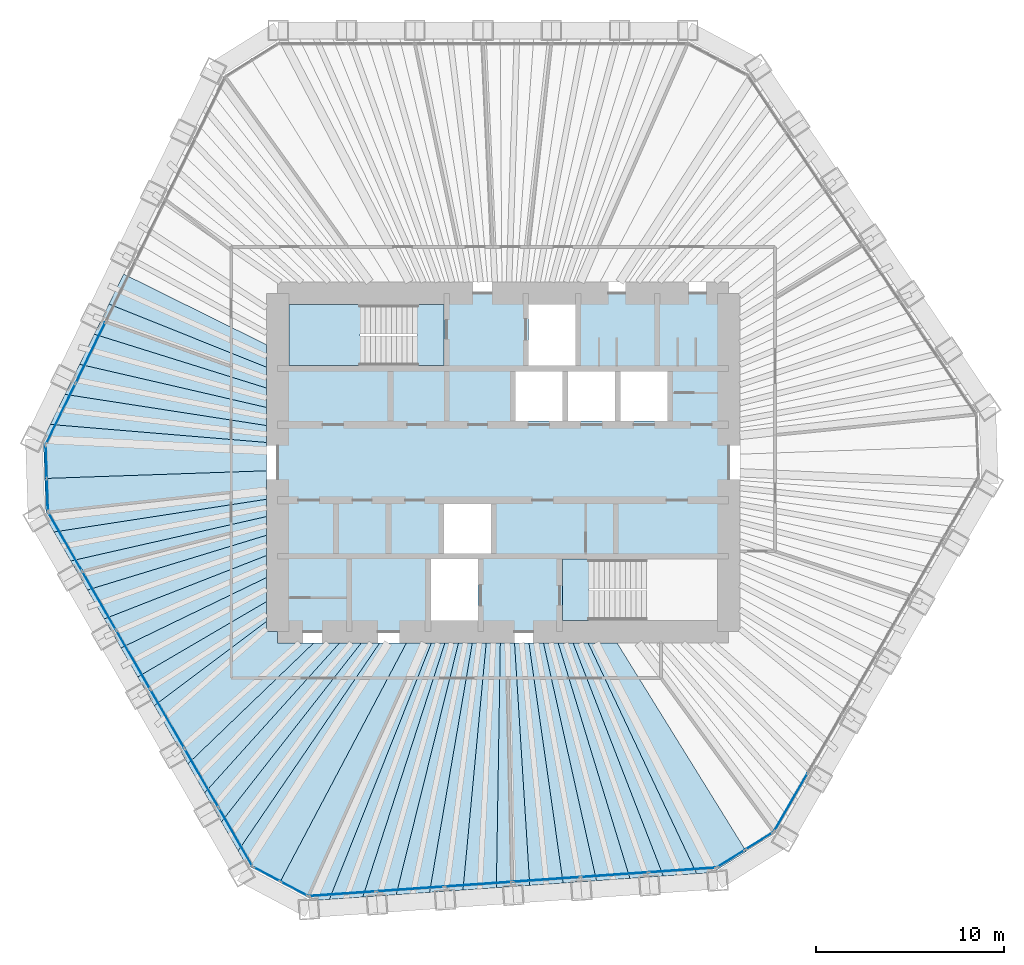
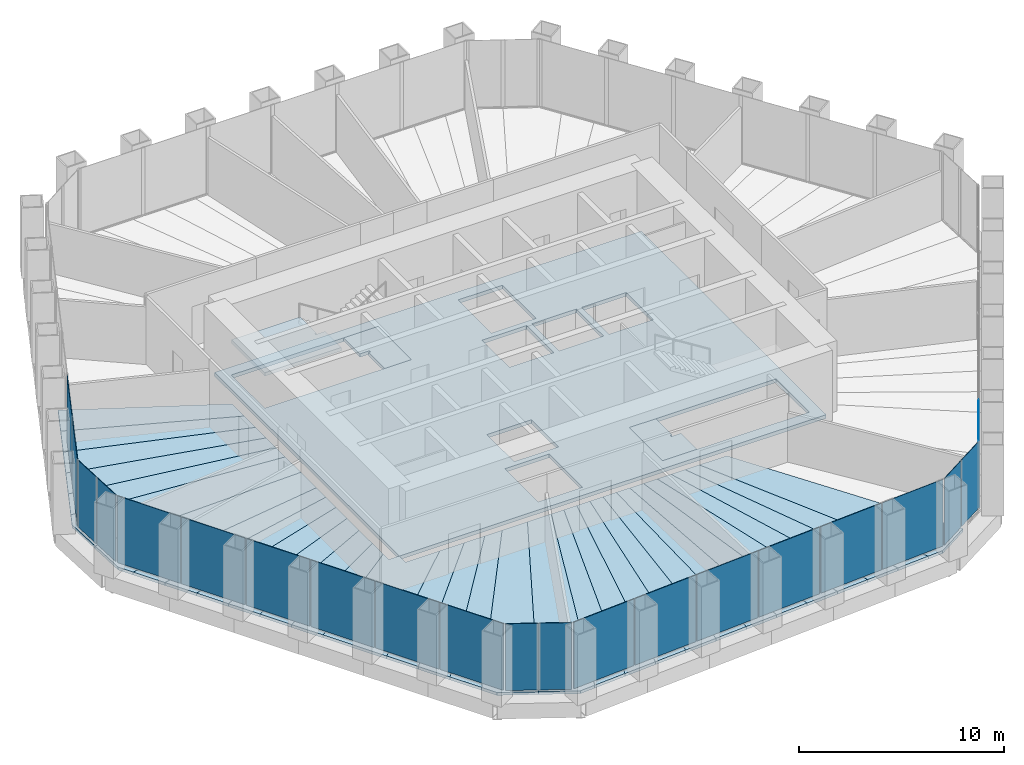
# One storey, part 8 of 14: 35 slabs, 21 plates, 9 elements without a shape of their own.
"""IFC4 building model written with IfcOpenShell, lengths in metres."""

from ifc_helpers import new_model, si_unit, direction, frame, origin, origin_2d, place, context, subcontext, project, spatial, polyline, rectangle, outline, extrude, material, layer, layer_set, type_object, element, aggregate, save


model = new_model("IFC4")

# Units and contexts
model_context = context("Model", 3, precision=1e-05, world=origin(), true_north=direction((0.0, 1.0)))
body_context = subcontext(model_context, "Body", "Model", "MODEL_VIEW")
ifc_project = project(units=[si_unit("LENGTHUNIT", "METRE"), si_unit("AREAUNIT", "SQUARE_METRE"), si_unit("VOLUMEUNIT", "CUBIC_METRE"), si_unit("PLANEANGLEUNIT", "RADIAN"), si_unit("MASSUNIT", "GRAM", prefix="KILO")], contexts=[model_context])

# Site, building, storey
site_placement = place(None, origin())
site = spatial("IfcSite", under=ifc_project, at=site_placement, CompositionType="ELEMENT")
building_placement = place(site_placement, origin())
building = spatial("IfcBuilding", under=site, at=building_placement, Name="Qingtian Harvest Tower", CompositionType="ELEMENT")
storey_placement = place(building_placement, frame((0.0, 0.0, 197.199951171875)))
storey = spatial("IfcBuildingStorey", under=building, at=storey_placement, Name="L42", CompositionType="ELEMENT", Elevation=197.199951171875)

# Slabs
ifc_material_1 = material(Name="Concrete fc' 35 MPa", Category="concrete")
ifc_layer_1 = layer(ifc_material_1, 0.169921875)
ifc_layer_set_1 = layer_set([ifc_layer_1], Name="Composite floor slab FS17 170")
slab_type_1 = type_object("IfcSlabType", Name="Composite floor slab FS17 170", PredefinedType="FLOOR", material=ifc_layer_set_1)
slab_1_placement = place(storey_placement, frame((0.0, 0.0, -0.169921875)))
element("IfcSlab", 1, at=slab_1_placement, inside=storey, type_object=slab_type_1, Name="Floor slab L42 panel D01", PredefinedType="FLOOR", context=body_context, shape_type="SweptSolid", body=[
    extrude(outline(polyline([(-24.403564453125, -0.852294921875), (-12.60009765625, -0.443115234375), (-12.60009765625, -1.958984375), (-23.9072265625, -3.701416015625), (-24.32958984375, -2.969970703125), (-24.403564453125, -0.852294921875)])), origin(), (0.0, 0.0, 1.0), 0.169921875),
])
slab_2_placement = place(storey_placement, frame((0.0, 0.0, -0.169921875)))
element("IfcSlab", 2, at=slab_2_placement, inside=storey, type_object=slab_type_1, Name="Floor slab L42 panel D02", PredefinedType="FLOOR", context=body_context, shape_type="SweptSolid", body=[
    extrude(outline(polyline([(-12.60009765625, -2.880126953125), (-23.016357421875, -5.244384765625), (-23.9072265625, -3.701416015625), (-12.60009765625, -1.958984375), (-12.60009765625, -2.880126953125)])), origin(), (0.0, 0.0, 1.0), 0.169921875),
])
slab_3_placement = place(storey_placement, frame((0.0, 0.0, -0.169921875)))
element("IfcSlab", 3, at=slab_3_placement, inside=storey, type_object=slab_type_1, Name="Floor slab L42 panel D03", PredefinedType="FLOOR", context=body_context, shape_type="SweptSolid", body=[
    extrude(outline(polyline([(-12.60009765625, -3.87548828125), (-22.12548828125, -6.78759765625), (-23.016357421875, -5.244384765625), (-12.60009765625, -2.880126953125), (-12.60009765625, -3.87548828125)])), origin(), (0.0, 0.0, 1.0), 0.169921875),
])
slab_4_placement = place(storey_placement, frame((0.0, 0.0, -0.169921875)))
element("IfcSlab", 4, at=slab_4_placement, inside=storey, type_object=slab_type_1, Name="Floor slab L42 panel D04", PredefinedType="FLOOR", context=body_context, shape_type="SweptSolid", body=[
    extrude(outline(polyline([(-12.60009765625, -4.95458984375), (-21.234619140625, -8.33056640625), (-22.12548828125, -6.78759765625), (-12.60009765625, -3.87548828125), (-12.60009765625, -4.95458984375)])), origin(), (0.0, 0.0, 1.0), 0.169921875),
])
slab_5_placement = place(storey_placement, frame((0.0, 0.0, -0.169921875)))
element("IfcSlab", 5, at=slab_5_placement, inside=storey, type_object=slab_type_1, Name="Floor slab L42 panel D05", PredefinedType="FLOOR", context=body_context, shape_type="SweptSolid", body=[
    extrude(outline(polyline([(-12.60009765625, -6.128173828125), (-20.34375, -9.87353515625), (-21.234619140625, -8.33056640625), (-12.60009765625, -4.95458984375), (-12.60009765625, -6.128173828125)])), origin(), (0.0, 0.0, 1.0), 0.169921875),
])
slab_6_placement = place(storey_placement, frame((0.0, 0.0, -0.169921875)))
element("IfcSlab", 6, at=slab_6_placement, inside=storey, type_object=slab_type_1, Name="Floor slab L42 panel D06", PredefinedType="FLOOR", context=body_context, shape_type="SweptSolid", body=[
    extrude(outline(polyline([(-12.60009765625, -7.409423828125), (-19.452880859375, -11.41650390625), (-20.34375, -9.87353515625), (-12.60009765625, -6.128173828125), (-12.60009765625, -7.409423828125)])), origin(), (0.0, 0.0, 1.0), 0.169921875),
])
slab_7_placement = place(storey_placement, frame((0.0, 0.0, -0.169921875)))
element("IfcSlab", 7, at=slab_7_placement, inside=storey, type_object=slab_type_1, Name="Floor slab L42 panel D07", PredefinedType="FLOOR", context=body_context, shape_type="SweptSolid", body=[
    extrude(outline(polyline([(-12.60009765625, -8.46435546875), (-18.5703125, -12.9453125), (-19.452880859375, -11.41650390625), (-12.60009765625, -7.409423828125), (-12.60009765625, -8.46435546875)])), origin(), (0.0, 0.0, 1.0), 0.169921875),
])
slab_8_placement = place(storey_placement, frame((0.0, 0.0, -0.169921875)))
element("IfcSlab", 8, at=slab_8_placement, inside=storey, type_object=slab_type_1, Name="Floor slab L42 panel D09", PredefinedType="FLOOR", context=body_context, shape_type="SweptSolid", body=[
    extrude(outline(polyline([(-16.781494140625, -16.043701171875), (-18.5703125, -12.9453125), (-12.60009765625, -8.46435546875), (-12.60009765625, -9.0), (-12.0, -9.0), (-12.0, -9.60009765625), (-10.07666015625, -9.60009765625), (-16.781494140625, -16.043701171875)])), origin(), (0.0, 0.0, 1.0), 0.169921875),
])
slab_9_placement = place(storey_placement, frame((0.0, 0.0, -0.169921875)))
element("IfcSlab", 9, at=slab_9_placement, inside=storey, type_object=slab_type_1, Name="Floor slab L42 panel D10", PredefinedType="FLOOR", context=body_context, shape_type="SweptSolid", body=[
    extrude(outline(polyline([(-8.700927734375, -9.60009765625), (-15.890380859375, -17.5869140625), (-16.781494140625, -16.043701171875), (-10.07666015625, -9.60009765625), (-8.700927734375, -9.60009765625)])), origin(), (0.0, 0.0, 1.0), 0.169921875),
])
slab_10_placement = place(storey_placement, frame((0.0, 0.0, -0.169921875)))
element("IfcSlab", 10, at=slab_10_placement, inside=storey, type_object=slab_type_1, Name="Floor slab L42 panel D11", PredefinedType="FLOOR", context=body_context, shape_type="SweptSolid", body=[
    extrude(outline(polyline([(-7.548095703125, -9.60009765625), (-14.99951171875, -19.1298828125), (-15.890380859375, -17.5869140625), (-8.700927734375, -9.60009765625), (-7.548095703125, -9.60009765625)])), origin(), (0.0, 0.0, 1.0), 0.169921875),
])
slab_11_placement = place(storey_placement, frame((0.0, 0.0, -0.169921875)))
element("IfcSlab", 11, at=slab_11_placement, inside=storey, type_object=slab_type_1, Name="Floor slab L42 panel D12", PredefinedType="FLOOR", context=body_context, shape_type="SweptSolid", body=[
    extrude(outline(polyline([(-6.568359375, -9.60009765625), (-14.108642578125, -20.673095703125), (-14.99951171875, -19.1298828125), (-7.548095703125, -9.60009765625), (-6.568359375, -9.60009765625)])), origin(), (0.0, 0.0, 1.0), 0.169921875),
])
slab_12_placement = place(storey_placement, frame((0.0, 0.0, -0.169921875)))
element("IfcSlab", 12, at=slab_12_placement, inside=storey, type_object=slab_type_1, Name="Floor slab L42 panel D13", PredefinedType="FLOOR", context=body_context, shape_type="SweptSolid", body=[
    extrude(outline(polyline([(-6.568359375, -9.60009765625), (-5.14501953125, -9.60009765625), (-11.890380859375, -22.359619140625), (-13.686279296875, -21.40478515625), (-14.108642578125, -20.673095703125), (-6.568359375, -9.60009765625)])), origin(), (0.0, 0.0, 1.0), 0.169921875),
])
slab_13_placement = place(storey_placement, frame((0.0, 0.0, -0.169921875)))
element("IfcSlab", 13, at=slab_13_placement, inside=storey, type_object=slab_type_1, Name="Floor slab L42 panel D14", PredefinedType="FLOOR", context=body_context, shape_type="SweptSolid", body=[
    extrude(outline(polyline([(-5.14501953125, -9.60009765625), (-3.817138671875, -9.60009765625), (-9.249755859375, -23.2568359375), (-10.092041015625, -23.315673828125), (-11.890380859375, -22.359619140625), (-5.14501953125, -9.60009765625)])), origin(), (0.0, 0.0, 1.0), 0.169921875),
])
slab_14_placement = place(storey_placement, frame((0.0, 0.0, -0.169921875)))
element("IfcSlab", 14, at=slab_14_placement, inside=storey, type_object=slab_type_1, Name="Floor slab L42 panel D15", PredefinedType="FLOOR", context=body_context, shape_type="SweptSolid", body=[
    extrude(outline(polyline([(-3.10009765625, -9.60009765625), (-7.472412109375, -23.132568359375), (-9.249755859375, -23.2568359375), (-3.817138671875, -9.60009765625), (-3.10009765625, -9.60009765625)])), origin(), (0.0, 0.0, 1.0), 0.169921875),
])
slab_15_placement = place(storey_placement, frame((0.0, 0.0, -0.169921875)))
element("IfcSlab", 15, at=slab_15_placement, inside=storey, type_object=slab_type_1, Name="Floor slab L42 panel D16", PredefinedType="FLOOR", context=body_context, shape_type="SweptSolid", body=[
    extrude(outline(polyline([(-2.375244140625, -9.60009765625), (-5.695068359375, -23.00830078125), (-7.472412109375, -23.132568359375), (-3.10009765625, -9.60009765625), (-2.375244140625, -9.60009765625)])), origin(), (0.0, 0.0, 1.0), 0.169921875),
])
slab_16_placement = place(storey_placement, frame((0.0, 0.0, -0.169921875)))
element("IfcSlab", 16, at=slab_16_placement, inside=storey, type_object=slab_type_1, Name="Floor slab L42 panel D17", PredefinedType="FLOOR", context=body_context, shape_type="SweptSolid", body=[
    extrude(outline(polyline([(-1.642578125, -9.60009765625), (-3.91796875, -22.884033203125), (-5.695068359375, -23.00830078125), (-2.375244140625, -9.60009765625), (-1.642578125, -9.60009765625)])), origin(), (0.0, 0.0, 1.0), 0.169921875),
])
slab_17_placement = place(storey_placement, frame((0.0, 0.0, -0.169921875)))
element("IfcSlab", 17, at=slab_17_placement, inside=storey, type_object=slab_type_1, Name="Floor slab L42 panel D18", PredefinedType="FLOOR", context=body_context, shape_type="SweptSolid", body=[
    extrude(outline(polyline([(-0.90185546875, -9.60009765625), (-2.140625, -22.759765625), (-3.91796875, -22.884033203125), (-1.642578125, -9.60009765625), (-0.90185546875, -9.60009765625)])), origin(), (0.0, 0.0, 1.0), 0.169921875),
])
slab_18_placement = place(storey_placement, frame((0.0, 0.0, -0.169921875)))
element("IfcSlab", 18, at=slab_18_placement, inside=storey, type_object=slab_type_1, Name="Floor slab L42 panel D19", PredefinedType="FLOOR", context=body_context, shape_type="SweptSolid", body=[
    extrude(outline(polyline([(-0.153076171875, -9.60009765625), (-0.36328125, -22.635498046875), (-2.140625, -22.759765625), (-0.90185546875, -9.60009765625), (-0.153076171875, -9.60009765625)])), origin(), (0.0, 0.0, 1.0), 0.169921875),
])
slab_19_placement = place(storey_placement, frame((0.0, 0.0, -0.169921875)))
element("IfcSlab", 19, at=slab_19_placement, inside=storey, type_object=slab_type_1, Name="Floor slab L42 panel D20", PredefinedType="FLOOR", context=body_context, shape_type="SweptSolid", body=[
    extrude(outline(polyline([(0.60400390625, -9.60009765625), (1.4140625, -22.51123046875), (-0.36328125, -22.635498046875), (-0.153076171875, -9.60009765625), (0.60400390625, -9.60009765625)])), origin(), (0.0, 0.0, 1.0), 0.169921875),
])
slab_20_placement = place(storey_placement, frame((0.0, 0.0, -0.169921875)))
element("IfcSlab", 20, at=slab_20_placement, inside=storey, type_object=slab_type_1, Name="Floor slab L42 panel D21", PredefinedType="FLOOR", context=body_context, shape_type="SweptSolid", body=[
    extrude(outline(polyline([(1.36962890625, -9.60009765625), (3.191162109375, -22.386962890625), (1.4140625, -22.51123046875), (0.60400390625, -9.60009765625), (1.36962890625, -9.60009765625)])), origin(), (0.0, 0.0, 1.0), 0.169921875),
])
slab_21_placement = place(storey_placement, frame((0.0, 0.0, -0.169921875)))
element("IfcSlab", 21, at=slab_21_placement, inside=storey, type_object=slab_type_1, Name="Floor slab L42 panel D22", PredefinedType="FLOOR", context=body_context, shape_type="SweptSolid", body=[
    extrude(outline(polyline([(2.1435546875, -9.60009765625), (4.968505859375, -22.2626953125), (3.191162109375, -22.386962890625), (1.36962890625, -9.60009765625), (2.1435546875, -9.60009765625)])), origin(), (0.0, 0.0, 1.0), 0.169921875),
])
slab_22_placement = place(storey_placement, frame((0.0, 0.0, -0.169921875)))
element("IfcSlab", 22, at=slab_22_placement, inside=storey, type_object=slab_type_1, Name="Floor slab L42 panel D23", PredefinedType="FLOOR", context=body_context, shape_type="SweptSolid", body=[
    extrude(outline(polyline([(2.92626953125, -9.60009765625), (6.745849609375, -22.138427734375), (4.968505859375, -22.2626953125), (2.1435546875, -9.60009765625), (2.92626953125, -9.60009765625)])), origin(), (0.0, 0.0, 1.0), 0.169921875),
])
slab_23_placement = place(storey_placement, frame((0.0, 0.0, -0.169921875)))
element("IfcSlab", 23, at=slab_23_placement, inside=storey, type_object=slab_type_1, Name="Floor slab L42 panel D24", PredefinedType="FLOOR", context=body_context, shape_type="SweptSolid", body=[
    extrude(outline(polyline([(3.718017578125, -9.60009765625), (8.523193359375, -22.01416015625), (6.745849609375, -22.138427734375), (2.92626953125, -9.60009765625), (3.718017578125, -9.60009765625)])), origin(), (0.0, 0.0, 1.0), 0.169921875),
])
slab_24_placement = place(storey_placement, frame((0.0, 0.0, -0.169921875)))
element("IfcSlab", 24, at=slab_24_placement, inside=storey, type_object=slab_type_1, Name="Floor slab L42 panel D25", PredefinedType="FLOOR", context=body_context, shape_type="SweptSolid", body=[
    extrude(outline(polyline([(4.5185546875, -9.60009765625), (10.30029296875, -21.889892578125), (8.523193359375, -22.01416015625), (3.718017578125, -9.60009765625), (4.5185546875, -9.60009765625)])), origin(), (0.0, 0.0, 1.0), 0.169921875),
])
slab_25_placement = place(storey_placement, frame((0.0, 0.0, -0.169921875)))
element("IfcSlab", 25, at=slab_25_placement, inside=storey, type_object=slab_type_1, Name="Floor slab L42 panel D26", PredefinedType="FLOOR", context=body_context, shape_type="SweptSolid", body=[
    extrude(outline(polyline([(4.5185546875, -9.60009765625), (6.059326171875, -9.60009765625), (12.94140625, -20.70703125), (11.142578125, -21.830810546875), (10.30029296875, -21.889892578125), (4.5185546875, -9.60009765625)])), origin(), (0.0, 0.0, 1.0), 0.169921875),
])
slab_26_placement = place(storey_placement, frame((0.0, 0.0, -0.169921875)))
element("IfcSlab", 26, at=slab_26_placement, inside=storey, type_object=slab_type_1, Name="Floor slab L42 panel D73", PredefinedType="FLOOR", context=body_context, shape_type="SweptSolid", body=[
    extrude(outline(polyline([(-12.60009765625, 5.072509765625), (-20.983154296875, 8.43017578125), (-20.201904296875, 10.031494140625), (-12.60009765625, 6.268310546875), (-12.60009765625, 5.072509765625)])), origin(), (0.0, 0.0, 1.0), 0.169921875),
])
slab_27_placement = place(storey_placement, frame((0.0, 0.0, -0.169921875)))
element("IfcSlab", 27, at=slab_27_placement, inside=storey, type_object=slab_type_1, Name="Floor slab L42 panel D74", PredefinedType="FLOOR", context=body_context, shape_type="SweptSolid", body=[
    extrude(outline(polyline([(-12.60009765625, 3.962890625), (-21.76416015625, 6.828857421875), (-20.983154296875, 8.43017578125), (-12.60009765625, 5.072509765625), (-12.60009765625, 3.962890625)])), origin(), (0.0, 0.0, 1.0), 0.169921875),
])
slab_28_placement = place(storey_placement, frame((0.0, 0.0, -0.169921875)))
element("IfcSlab", 28, at=slab_28_placement, inside=storey, type_object=slab_type_1, Name="Floor slab L42 panel D75", PredefinedType="FLOOR", context=body_context, shape_type="SweptSolid", body=[
    extrude(outline(polyline([(-12.60009765625, 2.929931640625), (-22.545166015625, 5.2275390625), (-21.76416015625, 6.828857421875), (-12.60009765625, 3.962890625), (-12.60009765625, 2.929931640625)])), origin(), (0.0, 0.0, 1.0), 0.169921875),
])
slab_29_placement = place(storey_placement, frame((0.0, 0.0, -0.169921875)))
element("IfcSlab", 29, at=slab_29_placement, inside=storey, type_object=slab_type_1, Name="Floor slab L42 panel D76", PredefinedType="FLOOR", context=body_context, shape_type="SweptSolid", body=[
    extrude(outline(polyline([(-12.60009765625, 1.96630859375), (-23.326171875, 3.626220703125), (-22.545166015625, 5.2275390625), (-12.60009765625, 2.929931640625), (-12.60009765625, 1.96630859375)])), origin(), (0.0, 0.0, 1.0), 0.169921875),
])
slab_30_placement = place(storey_placement, frame((0.0, 0.0, -0.169921875)))
element("IfcSlab", 30, at=slab_30_placement, inside=storey, type_object=slab_type_1, Name="Floor slab L42 panel D77", PredefinedType="FLOOR", context=body_context, shape_type="SweptSolid", body=[
    extrude(outline(polyline([(-12.60009765625, 1.065185546875), (-24.107177734375, 2.02490234375), (-23.326171875, 3.626220703125), (-12.60009765625, 1.96630859375), (-12.60009765625, 1.065185546875)])), origin(), (0.0, 0.0, 1.0), 0.169921875),
])
slab_31_placement = place(storey_placement, frame((0.0, 0.0, -0.169921875)))
element("IfcSlab", 31, at=slab_31_placement, inside=storey, type_object=slab_type_1, Name="Floor slab L42 panel D78", PredefinedType="FLOOR", context=body_context, shape_type="SweptSolid", body=[
    extrude(outline(polyline([(-12.60009765625, 1.065185546875), (-12.60009765625, -0.443115234375), (-24.403564453125, -0.852294921875), (-24.4775390625, 1.265625), (-24.107177734375, 2.02490234375), (-12.60009765625, 1.065185546875)])), origin(), (0.0, 0.0, 1.0), 0.169921875),
])
ifc_material_2 = material(Name="Concrete fc' 35 MPa", Category="concrete")
ifc_layer_2 = layer(ifc_material_2, 0.219970703125)
ifc_layer_set_2 = layer_set([ifc_layer_2], Name="Core floor slab CS22 220")
slab_type_2 = type_object("IfcSlabType", Name="Core floor slab CS22 220", PredefinedType="FLOOR", material=ifc_layer_set_2)
slab_32_placement = place(storey_placement, frame((0.0, 0.0, -0.219970703125)))
element("IfcSlab", 32, at=slab_32_placement, inside=storey, type_object=slab_type_2, Name="Core floor slab L42", PredefinedType="FLOOR", context=body_context, shape_type="SweptSolid", body=[
    extrude(outline(polyline([(-12.0, -9.0), (12.0, -9.0), (12.0, 9.0), (-12.0, 9.0), (-12.0, -9.0)]), holes=[polyline([(-11.39990234375, 5.14990234375), (-3.14990234375, 5.14990234375), (-3.14990234375, 8.39990234375), (-11.39990234375, 8.39990234375), (-11.39990234375, 5.14990234375)]), polyline([(3.14990234375, -8.39990234375), (11.39990234375, -8.39990234375), (11.39990234375, -5.14990234375), (3.14990234375, -5.14990234375), (3.14990234375, -8.39990234375)]), polyline([(1.35009765625, 5.14990234375), (3.85009765625, 5.14990234375), (3.85009765625, 8.39990234375), (1.35009765625, 8.39990234375), (1.35009765625, 5.14990234375)]), polyline([(-3.85009765625, -8.39990234375), (-1.35009765625, -8.39990234375), (-1.35009765625, -5.14990234375), (-3.85009765625, -5.14990234375), (-3.85009765625, -8.39990234375)]), polyline([(0.64990234375, 2.199951171875), (3.14990234375, 2.199951171875), (3.14990234375, 4.85009765625), (0.64990234375, 4.85009765625), (0.64990234375, 2.199951171875)]), polyline([(3.449951171875, 2.199951171875), (5.949951171875, 2.199951171875), (5.949951171875, 4.85009765625), (3.449951171875, 4.85009765625), (3.449951171875, 2.199951171875)]), polyline([(6.25, 2.199951171875), (8.75, 2.199951171875), (8.75, 4.85009765625), (6.25, 4.85009765625), (6.25, 2.199951171875)]), polyline([(-3.14990234375, -4.85009765625), (-0.64990234375, -4.85009765625), (-0.64990234375, -2.199951171875), (-3.14990234375, -2.199951171875), (-3.14990234375, -4.85009765625)])]), origin(), (0.0, 0.0, 1.0), 0.219970703125),
])

# Curtain wall, plate
ifc_material_3 = material(Name="Bronze-anodised aluminium curtain wall", Category="aluminium")
curtain_wall_type = type_object("IfcCurtainWallType", Name="Curtain wall CW4 office", PredefinedType="USERDEFINED", material=ifc_material_3)
curtain_wall_1_placement = place(storey_placement, origin())
curtain_wall_1 = element("IfcCurtainWall", 33, at=curtain_wall_1_placement, inside=storey, type_object=curtain_wall_type, Name="Curtain wall CW4 L42 SE0-5", ObjectType="RECESSED CURTAIN WALL", PredefinedType="USERDEFINED")
ifc_material_4 = material(Name="Bronze-tinted laminated insulating glass", Category="glass")
ifc_layer_3 = layer(ifc_material_4, 0.030029296875)
ifc_layer_set_3 = layer_set([ifc_layer_3], Name="Glazed panel CWP tinted IGU")
plate_type = type_object("IfcPlateType", Name="Glazed panel CWP tinted IGU", PredefinedType="CURTAIN_PANEL", material=ifc_layer_set_3)
plate_1_placement = place(storey_placement, frame((15.314208984375, -18.074951171875, 0.06494140625), z_axis=(0.0, 0.0, 1.0), x_axis=(-0.5, -0.866025403784, 0.0)))
plate_1 = element("IfcPlate", 34, at=plate_1_placement, type_object=plate_type, Name="CW4 panel 6.1", PredefinedType="CURTAIN_PANEL", context=body_context, shape_type="SweptSolid", body=[
    extrude(rectangle(XDim=3.5361328125, YDim=0.030029296875, at=origin_2d()), origin(), (0.0, 0.0, 1.0), 3.965087890625),
])
aggregate(curtain_wall_1, [plate_1])

# Curtain wall, plates
curtain_wall_2_placement = place(storey_placement, origin())
curtain_wall_2 = element("IfcCurtainWall", 35, at=curtain_wall_2_placement, inside=storey, type_object=curtain_wall_type, Name="Curtain wall CW4 L42 SEC", ObjectType="RECESSED CURTAIN WALL", PredefinedType="USERDEFINED")
plate_2_placement = place(storey_placement, frame((13.624755859375, -20.1455078125, 0.06494140625), z_axis=(0.0, 0.0, 1.0), x_axis=(-0.848048096156, -0.529919264233, 0.0)))
plate_2 = element("IfcPlate", 36, at=plate_2_placement, type_object=plate_type, Name="CW4 panel 1.1", PredefinedType="CURTAIN_PANEL", context=body_context, shape_type="SweptSolid", body=[
    extrude(rectangle(XDim=1.69287109375, YDim=0.030029296875, at=origin_2d()), origin(), (0.0, 0.0, 1.0), 3.965087890625),
])
plate_3_placement = place(storey_placement, frame((12.134033203125, -21.076904296875, 0.06494140625), z_axis=(0.0, 0.0, 1.0), x_axis=(-0.848048096156, -0.529919264233, 0.0)))
plate_3 = element("IfcPlate", 37, at=plate_3_placement, type_object=plate_type, Name="CW4 panel 2.1", PredefinedType="CURTAIN_PANEL", context=body_context, shape_type="SweptSolid", body=[
    extrude(rectangle(XDim=1.69287109375, YDim=0.030029296875, at=origin_2d()), origin(), (0.0, 0.0, 1.0), 3.965087890625),
])
aggregate(curtain_wall_2, [plate_2, plate_3])

curtain_wall_3_placement = place(storey_placement, origin())
curtain_wall_3 = element("IfcCurtainWall", 38, at=curtain_wall_3_placement, inside=storey, type_object=curtain_wall_type, Name="Curtain wall CW4 L42 S0-5", ObjectType="RECESSED CURTAIN WALL", PredefinedType="USERDEFINED")
plate_4_placement = place(storey_placement, frame((9.532470703125, -21.68798828125, 0.06494140625), z_axis=(0.0, 0.0, 1.0), x_axis=(-0.99756405026, -0.069756473744, 0.0)))
plate_4 = element("IfcPlate", 39, at=plate_4_placement, type_object=plate_type, Name="CW4 panel 1.1", PredefinedType="CURTAIN_PANEL", context=body_context, shape_type="SweptSolid", body=[
    extrude(rectangle(XDim=3.5361328125, YDim=0.030029296875, at=origin_2d()), origin(), (0.0, 0.0, 1.0), 3.965087890625),
])
plate_5_placement = place(storey_placement, frame((5.923828125, -21.940185546875, 0.06494140625), z_axis=(0.0, 0.0, 1.0), x_axis=(-0.99756405026, -0.069756473744, 0.0)))
plate_5 = element("IfcPlate", 40, at=plate_5_placement, type_object=plate_type, Name="CW4 panel 2.1", PredefinedType="CURTAIN_PANEL", context=body_context, shape_type="SweptSolid", body=[
    extrude(rectangle(XDim=3.568603515625, YDim=0.030029296875, at=origin_2d()), origin(), (0.0, 0.0, 1.0), 3.965087890625),
])
plate_6_placement = place(storey_placement, frame((2.299072265625, -22.193603515625, 0.06494140625), z_axis=(0.0, 0.0, 1.0), x_axis=(-0.99756405026, -0.069756473744, 0.0)))
plate_6 = element("IfcPlate", 41, at=plate_6_placement, type_object=plate_type, Name="CW4 panel 3.1", PredefinedType="CURTAIN_PANEL", context=body_context, shape_type="SweptSolid", body=[
    extrude(rectangle(XDim=3.568603515625, YDim=0.030029296875, at=origin_2d()), origin(), (0.0, 0.0, 1.0), 3.965087890625),
])
plate_7_placement = place(storey_placement, frame((-1.325439453125, -22.447021484375, 0.06494140625), z_axis=(0.0, 0.0, 1.0), x_axis=(-0.99756405026, -0.069756473744, 0.0)))
plate_7 = element("IfcPlate", 42, at=plate_7_placement, type_object=plate_type, Name="CW4 panel 4.1", PredefinedType="CURTAIN_PANEL", context=body_context, shape_type="SweptSolid", body=[
    extrude(rectangle(XDim=3.568603515625, YDim=0.030029296875, at=origin_2d()), origin(), (0.0, 0.0, 1.0), 3.965087890625),
])
plate_8_placement = place(storey_placement, frame((-4.9501953125, -22.70068359375, 0.06494140625), z_axis=(0.0, 0.0, 1.0), x_axis=(-0.99756405026, -0.069756473744, 0.0)))
plate_8 = element("IfcPlate", 43, at=plate_8_placement, type_object=plate_type, Name="CW4 panel 5.1", PredefinedType="CURTAIN_PANEL", context=body_context, shape_type="SweptSolid", body=[
    extrude(rectangle(XDim=3.568603515625, YDim=0.030029296875, at=origin_2d()), origin(), (0.0, 0.0, 1.0), 3.965087890625),
])
plate_9_placement = place(storey_placement, frame((-8.55859375, -22.952880859375, 0.06494140625), z_axis=(0.0, 0.0, 1.0), x_axis=(-0.99756405026, -0.069756473744, 0.0)))
plate_9 = element("IfcPlate", 44, at=plate_9_placement, type_object=plate_type, Name="CW4 panel 6.1", PredefinedType="CURTAIN_PANEL", context=body_context, shape_type="SweptSolid", body=[
    extrude(rectangle(XDim=3.5361328125, YDim=0.030029296875, at=origin_2d()), origin(), (0.0, 0.0, 1.0), 3.965087890625),
])
aggregate(curtain_wall_3, [plate_4, plate_5, plate_6, plate_7, plate_8, plate_9])

curtain_wall_4_placement = place(storey_placement, origin())
curtain_wall_4 = element("IfcCurtainWall", 45, at=curtain_wall_4_placement, inside=storey, type_object=curtain_wall_type, Name="Curtain wall CW4 L42 SC", ObjectType="RECESSED CURTAIN WALL", PredefinedType="USERDEFINED")
plate_10_placement = place(storey_placement, frame((-11.136474609375, -22.682373046875, 0.06494140625), z_axis=(0.0, 0.0, 1.0), x_axis=(-0.882947592859, 0.469471562786, 0.0)))
plate_10 = element("IfcPlate", 46, at=plate_10_placement, type_object=plate_type, Name="CW4 panel 1.1", PredefinedType="CURTAIN_PANEL", context=body_context, shape_type="SweptSolid", body=[
    extrude(rectangle(XDim=1.56689453125, YDim=0.030029296875, at=origin_2d()), origin(), (0.0, 0.0, 1.0), 3.965087890625),
])
plate_11_placement = place(storey_placement, frame((-12.5771484375, -21.916259765625, 0.06494140625), z_axis=(0.0, 0.0, 1.0), x_axis=(-0.882947592859, 0.469471562786, 0.0)))
plate_11 = element("IfcPlate", 47, at=plate_11_placement, type_object=plate_type, Name="CW4 panel 2.1", PredefinedType="CURTAIN_PANEL", context=body_context, shape_type="SweptSolid", body=[
    extrude(rectangle(XDim=1.56689453125, YDim=0.030029296875, at=origin_2d()), origin(), (0.0, 0.0, 1.0), 3.965087890625),
])
aggregate(curtain_wall_4, [plate_10, plate_11])

curtain_wall_5_placement = place(storey_placement, origin())
curtain_wall_5 = element("IfcCurtainWall", 48, at=curtain_wall_5_placement, inside=storey, type_object=curtain_wall_type, Name="Curtain wall CW4 L42 SW0-5", ObjectType="RECESSED CURTAIN WALL", PredefinedType="USERDEFINED")
plate_12_placement = place(storey_placement, frame((-14.242919921875, -19.9306640625, 0.06494140625), z_axis=(0.0, 0.0, 1.0), x_axis=(-0.5, 0.866025403784, 0.0)))
plate_12 = element("IfcPlate", 49, at=plate_12_placement, type_object=plate_type, Name="CW4 panel 1.1", PredefinedType="CURTAIN_PANEL", context=body_context, shape_type="SweptSolid", body=[
    extrude(rectangle(XDim=3.5361328125, YDim=0.030029296875, at=origin_2d()), origin(), (0.0, 0.0, 1.0), 3.965087890625),
])
plate_13_placement = place(storey_placement, frame((-16.051513671875, -16.7978515625, 0.06494140625), z_axis=(0.0, 0.0, 1.0), x_axis=(-0.5, 0.866025403784, 0.0)))
plate_13 = element("IfcPlate", 50, at=plate_13_placement, type_object=plate_type, Name="CW4 panel 2.1", PredefinedType="CURTAIN_PANEL", context=body_context, shape_type="SweptSolid", body=[
    extrude(rectangle(XDim=3.568603515625, YDim=0.030029296875, at=origin_2d()), origin(), (0.0, 0.0, 1.0), 3.965087890625),
])
plate_14_placement = place(storey_placement, frame((-17.868408203125, -13.651123046875, 0.06494140625), z_axis=(0.0, 0.0, 1.0), x_axis=(-0.5, 0.866025403784, 0.0)))
plate_14 = element("IfcPlate", 51, at=plate_14_placement, type_object=plate_type, Name="CW4 panel 3.1", PredefinedType="CURTAIN_PANEL", context=body_context, shape_type="SweptSolid", body=[
    extrude(rectangle(XDim=3.568603515625, YDim=0.030029296875, at=origin_2d()), origin(), (0.0, 0.0, 1.0), 3.965087890625),
])
plate_15_placement = place(storey_placement, frame((-19.68505859375, -10.50439453125, 0.06494140625), z_axis=(0.0, 0.0, 1.0), x_axis=(-0.5, 0.866025403784, 0.0)))
plate_15 = element("IfcPlate", 52, at=plate_15_placement, type_object=plate_type, Name="CW4 panel 4.1", PredefinedType="CURTAIN_PANEL", context=body_context, shape_type="SweptSolid", body=[
    extrude(rectangle(XDim=3.568603515625, YDim=0.030029296875, at=origin_2d()), origin(), (0.0, 0.0, 1.0), 3.965087890625),
])
plate_16_placement = place(storey_placement, frame((-21.501953125, -7.357666015625, 0.06494140625), z_axis=(0.0, 0.0, 1.0), x_axis=(-0.5, 0.866025403784, 0.0)))
plate_16 = element("IfcPlate", 53, at=plate_16_placement, type_object=plate_type, Name="CW4 panel 5.1", PredefinedType="CURTAIN_PANEL", context=body_context, shape_type="SweptSolid", body=[
    extrude(rectangle(XDim=3.568603515625, YDim=0.030029296875, at=origin_2d()), origin(), (0.0, 0.0, 1.0), 3.965087890625),
])
plate_17_placement = place(storey_placement, frame((-23.310546875, -4.22509765625, 0.06494140625), z_axis=(0.0, 0.0, 1.0), x_axis=(-0.5, 0.866025403784, 0.0)))
plate_17 = element("IfcPlate", 54, at=plate_17_placement, type_object=plate_type, Name="CW4 panel 6.1", PredefinedType="CURTAIN_PANEL", context=body_context, shape_type="SweptSolid", body=[
    extrude(rectangle(XDim=3.5361328125, YDim=0.030029296875, at=origin_2d()), origin(), (0.0, 0.0, 1.0), 3.965087890625),
])
aggregate(curtain_wall_5, [plate_12, plate_13, plate_14, plate_15, plate_16, plate_17])

curtain_wall_6_placement = place(storey_placement, origin())
curtain_wall_6 = element("IfcCurtainWall", 55, at=curtain_wall_6_placement, inside=storey, type_object=curtain_wall_type, Name="Curtain wall CW4 L42 SWC", ObjectType="RECESSED CURTAIN WALL", PredefinedType="USERDEFINED")
plate_18_placement = place(storey_placement, frame((-24.2587890625, -1.7265625, 0.06494140625), z_axis=(0.0, 0.0, 1.0), x_axis=(-0.034899496703, 0.999390827019, 0.0)))
plate_18 = element("IfcPlate", 56, at=plate_18_placement, type_object=plate_type, Name="CW4 panel 1.1", PredefinedType="CURTAIN_PANEL", context=body_context, shape_type="SweptSolid", body=[
    extrude(rectangle(XDim=1.69287109375, YDim=0.030029296875, at=origin_2d()), origin(), (0.0, 0.0, 1.0), 3.965087890625),
])
plate_19_placement = place(storey_placement, frame((-24.320068359375, 0.0302734375, 0.06494140625), z_axis=(0.0, 0.0, 1.0), x_axis=(-0.034899496703, 0.999390827019, 0.0)))
plate_19 = element("IfcPlate", 57, at=plate_19_placement, type_object=plate_type, Name="CW4 panel 2.1", PredefinedType="CURTAIN_PANEL", context=body_context, shape_type="SweptSolid", body=[
    extrude(rectangle(XDim=1.69287109375, YDim=0.030029296875, at=origin_2d()), origin(), (0.0, 0.0, 1.0), 3.965087890625),
])
aggregate(curtain_wall_6, [plate_18, plate_19])

curtain_wall_7_placement = place(storey_placement, origin())
curtain_wall_7 = element("IfcCurtainWall", 58, at=curtain_wall_7_placement, inside=storey, type_object=curtain_wall_type, Name="Curtain wall CW4 L42 NW0-5", ObjectType="RECESSED CURTAIN WALL", PredefinedType="USERDEFINED")
plate_20_placement = place(storey_placement, frame((-23.54833984375, 2.588623046875, 0.06494140625), z_axis=(0.0, 0.0, 1.0), x_axis=(0.438371146789, 0.898794046299, 0.0)))
plate_20 = element("IfcPlate", 59, at=plate_20_placement, type_object=plate_type, Name="CW4 panel 1.1", PredefinedType="CURTAIN_PANEL", context=body_context, shape_type="SweptSolid", body=[
    extrude(rectangle(XDim=3.5361328125, YDim=0.030029296875, at=origin_2d()), origin(), (0.0, 0.0, 1.0), 3.965087890625),
])
plate_21_placement = place(storey_placement, frame((-21.962646484375, 5.83984375, 0.06494140625), z_axis=(0.0, 0.0, 1.0), x_axis=(0.438371146789, 0.898794046299, 0.0)))
plate_21 = element("IfcPlate", 60, at=plate_21_placement, type_object=plate_type, Name="CW4 panel 2.1", PredefinedType="CURTAIN_PANEL", context=body_context, shape_type="SweptSolid", body=[
    extrude(rectangle(XDim=3.568603515625, YDim=0.030029296875, at=origin_2d()), origin(), (0.0, 0.0, 1.0), 3.965087890625),
])
aggregate(curtain_wall_7, [plate_20, plate_21])

# Stair, slabs
ifc_material_5 = material(Name="Concrete fc' 35 MPa", Category="concrete")
stair_type = type_object("IfcStairType", Name="Special stair ST4 4200", PredefinedType="HALF_TURN_STAIR", material=ifc_material_5)
stair_1_placement = place(storey_placement, origin())
stair_1 = element("IfcStair", 61, at=stair_1_placement, inside=storey, type_object=stair_type, Name="Special stair S1 L42", PredefinedType="HALF_TURN_STAIR")
ifc_material_6 = material(Name="Concrete fc' 35 MPa", Category="concrete")
ifc_layer_4 = layer(ifc_material_6, 0.199951171875)
ifc_layer_set_4 = layer_set([ifc_layer_4], Name="Stair landing SL2 200")
slab_type_3 = type_object("IfcSlabType", Name="Stair landing SL2 200", PredefinedType="LANDING", material=ifc_layer_set_4)
slab_33_placement = place(storey_placement, frame((0.0, 0.0, -0.199951171875)))
slab_33 = element("IfcSlab", 62, at=slab_33_placement, type_object=slab_type_3, Name="S1 landing 1", PredefinedType="LANDING", context=body_context, shape_type="SweptSolid", body=[
    extrude(outline(polyline([(-4.64990234375, 5.14990234375), (-4.64990234375, 6.72509765625), (-4.550048828125, 6.72509765625), (-4.550048828125, 6.824951171875), (-5.0849609375, 6.824951171875), (-5.0849609375, 8.39990234375), (-3.14990234375, 8.39990234375), (-3.14990234375, 5.14990234375), (-4.64990234375, 5.14990234375)])), origin(), (0.0, 0.0, 1.0), 0.199951171875),
])
slab_34_placement = place(storey_placement, frame((0.0, 0.0, 1.900146484375)))
slab_34 = element("IfcSlab", 63, at=slab_34_placement, type_object=slab_type_3, Name="S1 landing 2", PredefinedType="LANDING", context=body_context, shape_type="SweptSolid", body=[
    extrude(outline(polyline([(-7.094970703125, 5.14990234375), (-11.39990234375, 5.14990234375), (-11.39990234375, 8.39990234375), (-7.530029296875, 8.39990234375), (-7.530029296875, 6.824951171875), (-7.6298828125, 6.824951171875), (-7.6298828125, 6.72509765625), (-7.094970703125, 6.72509765625), (-7.094970703125, 5.14990234375)])), origin(), (0.0, 0.0, 1.0), 0.199951171875),
])
aggregate(stair_1, [slab_33, slab_34])

# Stair, slab
stair_2_placement = place(storey_placement, origin())
stair_2 = element("IfcStair", 64, at=stair_2_placement, inside=storey, type_object=stair_type, Name="Special stair S2 L42", PredefinedType="HALF_TURN_STAIR")
slab_35_placement = place(storey_placement, frame((0.0, 0.0, -0.199951171875)))
slab_35 = element("IfcSlab", 65, at=slab_35_placement, type_object=slab_type_3, Name="S2 landing 1", PredefinedType="LANDING", context=body_context, shape_type="SweptSolid", body=[
    extrude(outline(polyline([(5.0849609375, -8.39990234375), (3.14990234375, -8.39990234375), (3.14990234375, -5.14990234375), (4.64990234375, -5.14990234375), (4.64990234375, -6.72509765625), (4.550048828125, -6.72509765625), (4.550048828125, -6.824951171875), (5.0849609375, -6.824951171875), (5.0849609375, -8.39990234375)])), origin(), (0.0, 0.0, 1.0), 0.199951171875),
])
aggregate(stair_2, [slab_35])

save(model, "model.ifc")
